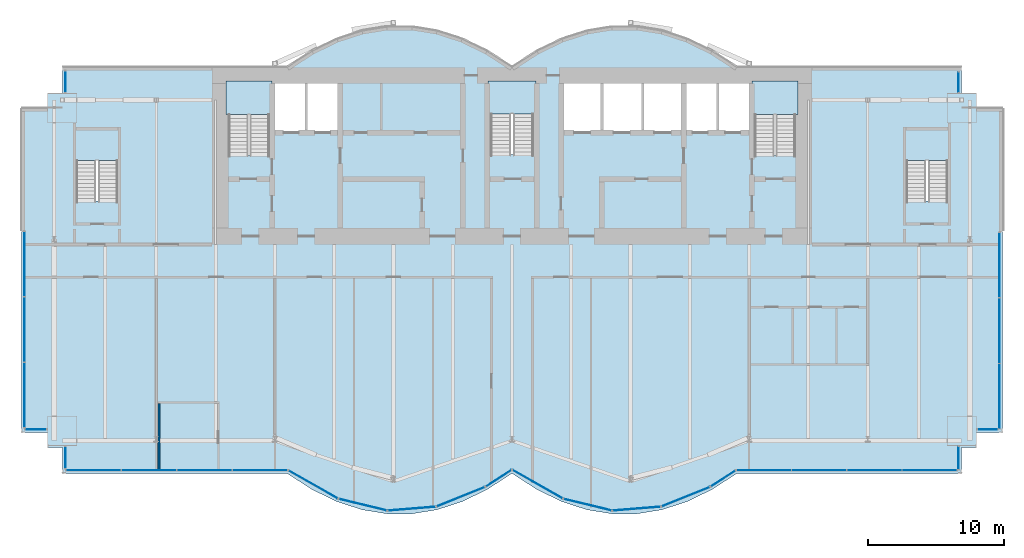
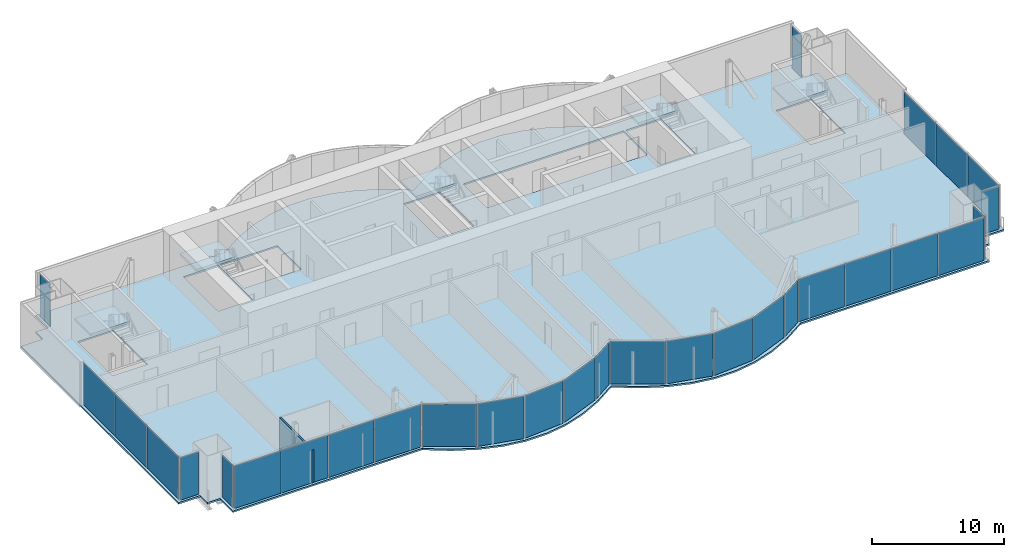
# One storey, part 13 of 20: 30 plates, 6 slabs, 1 wall, 17 elements without a shape of their own.
"""IFC4 building model written with IfcOpenShell, lengths in metres."""

import ifcopenshell
import ifcopenshell.guid

model = None  # the IFC model being written
_history = None  # IfcOwnerHistory: only IFC2X3 demands one
_inside = {}  # id of a spatial element -> (the spatial element, [elements in it])
_under = {}  # id of a project, library or spatial element -> (it, [spatial elements below it])
_declared = {}  # id of a project -> (the project, [libraries it declares])
_typed = {}  # id of a type object -> (the type object, [elements of that type])
_made_of = {}  # id of a material, layer set ... -> (it, [elements and type objects made of it])


def new_model(schema):
    """Start an empty IFC model of exactly this schema.

    Asked for "IFC4X3", IfcOpenShell would pick the latest addendum, in which some entities
    have other attributes; the version numbers below select the first issue.
    IFC2X3 requires an IfcOwnerHistory on every rooted entity: one is made here for all.
    """
    global model, _history
    if schema == "IFC4X3":
        model = ifcopenshell.file(schema_version=(4, 3, 0, 0))
    else:
        model = ifcopenshell.file(schema=schema)
    _inside.clear()
    _under.clear()
    _declared.clear()
    _typed.clear()
    _made_of.clear()
    _history = None
    if model.schema == "IFC2X3":
        org = make("IfcOrganization", Name="unknown")
        user = make(
            "IfcPersonAndOrganization",
            ThePerson=make("IfcPerson", FamilyName="unknown"),
            TheOrganization=org,
        )
        app = make(
            "IfcApplication",
            ApplicationDeveloper=org,
            Version="unknown",
            ApplicationFullName="unknown",
            ApplicationIdentifier="unknown",
        )
        _history = make(
            "IfcOwnerHistory",
            OwningUser=user,
            OwningApplication=app,
            ChangeAction="ADDED",
            CreationDate=0,
        )
    return model


def make(cls, **values):
    """One entity of the class cls with the attributes given. An attribute that is None is left unset."""
    return model.create_entity(
        cls, **{name: value for name, value in values.items() if value is not None}
    )


def rooted(cls, **values):
    """An entity with a GlobalId (a new one), such as an element, a storey or a relation."""
    return make(cls, GlobalId=ifcopenshell.guid.new(), OwnerHistory=_history, **values)


def si_unit(unit_type, name, prefix=None):
    """IfcSIUnit, for example si_unit("LENGTHUNIT", "METRE", prefix="MILLI")."""
    return make("IfcSIUnit", UnitType=unit_type, Prefix=prefix, Name=name)


def assignment(units):
    """IfcUnitAssignment: the units of a project."""
    return None if units is None else make("IfcUnitAssignment", Units=units)


def point(xyz):
    """IfcCartesianPoint."""
    return None if xyz is None else make("IfcCartesianPoint", Coordinates=xyz)


def direction(xyz):
    """IfcDirection."""
    return None if xyz is None else make("IfcDirection", DirectionRatios=xyz)


def frame(location, z_axis=None, x_axis=None):
    """IfcAxis2Placement3D, a coordinate frame: its origin and axes. An axis left out is left unset."""
    return make(
        "IfcAxis2Placement3D",
        Location=point(location),
        Axis=direction(z_axis),
        RefDirection=direction(x_axis),
    )


def frame_2d(location, x_axis=None):
    """IfcAxis2Placement2D, a coordinate frame in the plane: its origin and x axis."""
    return make(
        "IfcAxis2Placement2D", Location=point(location), RefDirection=direction(x_axis)
    )


def origin():
    """The frame at (0, 0, 0) with its axes left unset."""
    return frame((0.0, 0.0, 0.0))


def origin_2d():
    """The frame at (0, 0) in the plane with its x axis left unset."""
    return frame_2d((0.0, 0.0))


def place(relative_to, where):
    """IfcLocalPlacement: puts the frame where relative to a parent placement (None: the world)."""
    return make(
        "IfcLocalPlacement", PlacementRelTo=relative_to, RelativePlacement=where
    )


def context(
    kind, dimensions, precision=None, world=None, true_north=None, identifier=None
):
    """IfcGeometricRepresentationContext, for example the 3D "Model" context."""
    return make(
        "IfcGeometricRepresentationContext",
        ContextIdentifier=identifier,
        ContextType=kind,
        CoordinateSpaceDimension=dimensions,
        Precision=precision,
        WorldCoordinateSystem=world,
        TrueNorth=true_north,
    )


def subcontext(parent, identifier, kind, view, scale=None):
    """IfcGeometricRepresentationSubContext, for example "Body" below "Model"."""
    return make(
        "IfcGeometricRepresentationSubContext",
        ContextIdentifier=identifier,
        ContextType=kind,
        ParentContext=parent,
        TargetScale=scale,
        TargetView=view,
    )


def project(units=None, contexts=None):
    """IfcProject with its units and contexts."""
    return rooted(
        "IfcProject",
        Name="project",
        RepresentationContexts=contexts,
        UnitsInContext=assignment(units),
    )


def spatial(cls, under=None, at=None, **own):
    """A site, building, storey or space (cls), placed at a placement, below another one or the project."""
    s = rooted(cls, ObjectPlacement=at, **own)
    if under is not None:
        _under.setdefault(under.id(), (under, []))[1].append(s)
    return s


def polyline(points):
    """IfcPolyline through the points."""
    return make("IfcPolyline", Points=[point(p) for p in points])


def profile(cls, at=None, kind="AREA", **sizes):
    """A parametric profile (cls). Its sizes go by their IFC names, for example OverallWidth=200.0."""
    return make(cls, ProfileType=kind, Position=at, **sizes)


def rectangle(**sizes):
    """IfcRectangleProfileDef."""
    return profile("IfcRectangleProfileDef", **sizes)


def outline(outer, holes=None, kind="AREA"):
    """IfcArbitraryClosedProfileDef: a profile drawn as a closed curve; with holes, ...WithVoids."""
    if holes is None:
        return make("IfcArbitraryClosedProfileDef", ProfileType=kind, OuterCurve=outer)
    return make(
        "IfcArbitraryProfileDefWithVoids",
        ProfileType=kind,
        OuterCurve=outer,
        InnerCurves=holes,
    )


def extrude(swept, where, along, depth):
    """IfcExtrudedAreaSolid: the profile swept, set in the frame where, extruded along a direction by depth."""
    return make(
        "IfcExtrudedAreaSolid",
        SweptArea=swept,
        Position=where,
        ExtrudedDirection=direction(along),
        Depth=depth,
    )


def shape(context_of_items, identifier, shape_type, items):
    """IfcShapeRepresentation: the items that make up one representation, for example the "Body"."""
    return make(
        "IfcShapeRepresentation",
        ContextOfItems=context_of_items,
        RepresentationIdentifier=identifier,
        RepresentationType=shape_type,
        Items=items,
    )


def material(Name=None, Category=None):
    """IfcMaterial."""
    return make("IfcMaterial", Name=Name, Category=Category)


def layer(
    of_material, thickness, ventilated=None, Name=None, Category=None, Priority=None
):
    """IfcMaterialLayer: one layer of a wall or slab, of a material (None: an air gap)."""
    return make(
        "IfcMaterialLayer",
        Material=of_material,
        LayerThickness=thickness,
        IsVentilated=ventilated,
        Name=Name,
        Category=Category,
        Priority=Priority,
    )


def layer_set(layers, Name=None):
    """IfcMaterialLayerSet."""
    return make("IfcMaterialLayerSet", MaterialLayers=layers, LayerSetName=Name)


def made_of(thing, what):
    """Note that an element or type object is made of a material, layer set ...; save() writes the relation."""
    if what is not None:
        _made_of.setdefault(what.id(), (what, []))[1].append(thing)
    return thing


def type_object(cls, material=None, **own):
    """A type object (cls), such as IfcWallType, which elements share."""
    return made_of(rooted(cls, **own), material)


def element(
    cls,
    number,
    at=None,
    inside=None,
    cuts=None,
    type_object=None,
    material=None,
    context=None,
    identifier="Body",
    shape_type=None,
    held_by="IfcProductDefinitionShape",
    body=None,
    shapes=None,
    **own,
):
    """One element of the class cls, such as IfcWall. Its Tag is "e" and its number.

    at: its placement. inside: the storey or other place that contains it. cuts: it is an
    opening in that element (IfcRelVoidsElement). A single representation is given by context,
    identifier, shape_type and body (its items); several are given by shapes. held_by: the class
    of the entity that holds the representations. save() writes the other relations.
    """
    e = rooted(cls, Tag="e%d" % number, ObjectPlacement=at, **own)
    if body is not None:
        shapes = [shape(context, identifier, shape_type, body)]
    if shapes is not None:
        e.Representation = make(held_by, Representations=shapes)
    if inside is not None:
        _inside.setdefault(inside.id(), (inside, []))[1].append(e)
    if cuts is not None:
        rooted(
            "IfcRelVoidsElement", RelatingBuildingElement=cuts, RelatedOpeningElement=e
        )
    if type_object is not None:
        _typed.setdefault(type_object.id(), (type_object, []))[1].append(e)
    return made_of(e, material)


def aggregate(whole, parts):
    """IfcRelAggregates: a whole, such as a stair, and the parts it consists of."""
    return rooted("IfcRelAggregates", RelatingObject=whole, RelatedObjects=parts)


def save(model, path):
    """Write the relations noted so far, then the file.

    IfcRelAggregates (storeys below a building ...), IfcRelContainedInSpatialStructure (elements
    in a storey), IfcRelDefinesByType, IfcRelAssociatesMaterial and IfcRelDeclares: one each for
    every whole, place, type object, material and project.
    """
    for whole, parts in _under.values():
        aggregate(whole, parts)
    for where, things in _inside.values():
        rooted(
            "IfcRelContainedInSpatialStructure",
            RelatedElements=things,
            RelatingStructure=where,
        )
    for kind, things in _typed.values():
        rooted("IfcRelDefinesByType", RelatedObjects=things, RelatingType=kind)
    for what, things in _made_of.values():
        rooted("IfcRelAssociatesMaterial", RelatedObjects=things, RelatingMaterial=what)
    for by, libraries in _declared.values():
        rooted("IfcRelDeclares", RelatingContext=by, RelatedDefinitions=libraries)
    model.write(path)


model = new_model("IFC4")

# Units and contexts
model_context = context("Model", 3, precision=1e-05, world=origin(), true_north=direction((0.0, 1.0)))
body_context = subcontext(model_context, "Body", "Model", "MODEL_VIEW")
ifc_project = project(units=[si_unit("LENGTHUNIT", "METRE"), si_unit("AREAUNIT", "SQUARE_METRE"), si_unit("VOLUMEUNIT", "CUBIC_METRE"), si_unit("PLANEANGLEUNIT", "RADIAN"), si_unit("MASSUNIT", "GRAM", prefix="KILO")], contexts=[model_context])

# Site, building, storey
site_placement = place(None, origin())
site = spatial("IfcSite", under=ifc_project, at=site_placement, CompositionType="ELEMENT")
building_placement = place(site_placement, origin())
building = spatial("IfcBuilding", under=site, at=building_placement, Name="Bicima Exchange Tower", CompositionType="ELEMENT")
storey_placement = place(building_placement, frame((0.0, 0.0, 249.800048828125)))
storey = spatial("IfcBuildingStorey", under=building, at=storey_placement, Name="L56", CompositionType="ELEMENT", Elevation=249.800048828125)

# Slab
ifc_material_1 = material(Name="Concrete C40/50", Category="concrete")
ifc_layer_1 = layer(ifc_material_1, 0.14990234375)
ifc_layer_set_1 = layer_set([ifc_layer_1], Name="Concrete C40/50")
slab_type_1 = type_object("IfcSlabType", Name="Composite floor slab 150", PredefinedType="FLOOR", material=ifc_layer_set_1)
slab_1_placement = place(storey_placement, frame((0.0, 0.0, -0.150146484375)))
element("IfcSlab", 1, at=slab_1_placement, inside=storey, type_object=slab_type_1, Name="Floor slab", PredefinedType="FLOOR", context=body_context, shape_type="SweptSolid", body=[
    extrude(outline(polyline([(-36.0, -26.800048828125), (-36.0, -3.0), (-34.10009765625, -3.0), (-34.10009765625, -1.89990234375), (-33.0, -1.89990234375), (-33.0, 0.0), (-16.5, 0.0), (-14.666748046875, 1.185302734375), (-12.833251953125, 2.07421875), (-11.0, 2.666748046875), (-9.166748046875, 2.962890625), (-7.333251953125, 2.962890625), (-5.5, 2.666748046875), (-3.666748046875, 2.07421875), (-1.833251953125, 1.185302734375), (0.0, 0.0), (1.833251953125, 1.185302734375), (3.666748046875, 2.07421875), (5.5, 2.666748046875), (7.333251953125, 2.962890625), (9.166748046875, 2.962890625), (11.0, 2.666748046875), (12.833251953125, 2.07421875), (14.666748046875, 1.185302734375), (16.5, 0.0), (33.0, 0.0), (33.0, -1.89990234375), (34.10009765625, -1.89990234375), (34.10009765625, -3.0), (36.0, -3.0), (36.0, -26.800048828125), (34.10009765625, -26.800048828125), (34.10009765625, -27.89990234375), (33.0, -27.89990234375), (33.0, -29.800048828125), (16.5, -29.800048828125), (14.666748046875, -30.985107421875), (12.833251953125, -31.8740234375), (11.0, -32.466796875), (9.166748046875, -32.762939453125), (7.333251953125, -32.762939453125), (5.5, -32.466796875), (3.666748046875, -31.8740234375), (1.833251953125, -30.985107421875), (0.0, -29.800048828125), (-1.833251953125, -30.985107421875), (-3.666748046875, -31.8740234375), (-5.5, -32.466796875), (-7.333251953125, -32.762939453125), (-9.166748046875, -32.762939453125), (-11.0, -32.466796875), (-12.833251953125, -31.8740234375), (-14.666748046875, -30.985107421875), (-16.5, -29.800048828125), (-33.0, -29.800048828125), (-33.0, -27.89990234375), (-34.10009765625, -27.89990234375), (-34.10009765625, -26.800048828125), (-36.0, -26.800048828125)]), holes=[polyline([(-28.925048828125, -9.824951171875), (-28.925048828125, -4.625), (-31.97509765625, -4.625), (-31.97509765625, -9.824951171875), (-28.925048828125, -9.824951171875)]), polyline([(-20.800048828125, -6.449951171875), (-17.800048828125, -6.449951171875), (-17.800048828125, -1.199951171875), (-20.800048828125, -1.199951171875), (-20.800048828125, -6.449951171875)]), polyline([(-1.574951171875, -6.39990234375), (1.574951171875, -6.39990234375), (1.574951171875, -1.199951171875), (-1.574951171875, -1.199951171875), (-1.574951171875, -6.39990234375)]), polyline([(-12.60009765625, -1.199951171875), (-15.10009765625, -1.199951171875), (-17.60009765625, -1.199951171875), (-17.60009765625, -4.800048828125), (-15.10009765625, -4.800048828125), (-12.60009765625, -4.800048828125), (-12.60009765625, -1.199951171875)]), polyline([(3.60009765625, -4.800048828125), (6.60009765625, -4.800048828125), (9.60009765625, -4.800048828125), (12.60009765625, -4.800048828125), (15.10009765625, -4.800048828125), (17.60009765625, -4.800048828125), (17.60009765625, -1.199951171875), (15.10009765625, -1.199951171875), (12.60009765625, -1.199951171875), (9.60009765625, -1.199951171875), (6.60009765625, -1.199951171875), (3.60009765625, -1.199951171875), (3.60009765625, -4.800048828125)]), polyline([(31.97509765625, -9.824951171875), (31.97509765625, -4.625), (28.925048828125, -4.625), (28.925048828125, -9.824951171875), (31.97509765625, -9.824951171875)]), polyline([(17.800048828125, -6.449951171875), (20.800048828125, -6.449951171875), (20.800048828125, -1.199951171875), (17.800048828125, -1.199951171875), (17.800048828125, -6.449951171875)])]), origin(), (0.0, 0.0, 1.0), 0.150146484375),
])

# Curtain wall, plate
ifc_material_2 = material(Name="Anodised bronze aluminium", Category="aluminium")
curtain_wall_type_1 = type_object("IfcCurtainWallType", Name="End face glass wall", PredefinedType="NOTDEFINED", material=ifc_material_2)
curtain_wall_1_placement = place(storey_placement, origin())
curtain_wall_1 = element("IfcCurtainWall", 2, at=curtain_wall_1_placement, inside=storey, type_object=curtain_wall_type_1, Name="End face glass wall L56 run 2", PredefinedType="NOTDEFINED")
ifc_material_3 = material(Name="Bronze tinted glass", Category="glass")
ifc_layer_2 = layer(ifc_material_3, 0.031982421875)
ifc_layer_set_2 = layer_set([ifc_layer_2], Name="Bronze tinted glass")
plate_type_1 = type_object("IfcPlateType", Name="End face glass wall glass panel 32", PredefinedType="CURTAIN_PANEL", material=ifc_layer_set_2)
plate_1_placement = place(storey_placement, frame((-35.77001953125, -14.43505859375, 0.0), z_axis=(0.0, 0.0, 1.0), x_axis=(0.0, -1.0, 0.0)))
plate_1 = element("IfcPlate", 3, at=plate_1_placement, type_object=plate_type_1, Name="End face glass wall panel 1.1", PredefinedType="CURTAIN_PANEL", context=body_context, shape_type="SweptSolid", body=[
    extrude(rectangle(XDim=4.75, YDim=0.031982421875, at=origin_2d()), origin(), (0.0, 0.0, 1.0), 3.909912109375),
])

curtain_wall_2_placement = place(storey_placement, origin())
curtain_wall_2 = element("IfcCurtainWall", 4, at=curtain_wall_2_placement, inside=storey, type_object=curtain_wall_type_1, Name="End face glass wall L56 run 19", PredefinedType="NOTDEFINED")
plate_2_placement = place(storey_placement, frame((35.77001953125, -14.514892578125, 0.0), z_axis=(0.0, 0.0, 1.0), x_axis=(0.0, 1.0, 0.0)))
plate_2 = element("IfcPlate", 5, at=plate_2_placement, type_object=plate_type_1, Name="End face glass wall panel 3.1", PredefinedType="CURTAIN_PANEL", context=body_context, shape_type="SweptSolid", body=[
    extrude(rectangle(XDim=4.75, YDim=0.031982421875, at=origin_2d()), origin(), (0.0, 0.0, 1.0), 3.909912109375),
])

# Plate
ifc_material_4 = material(Name="Bronze anodised aluminium", Category="aluminium")
ifc_layer_3 = layer(ifc_material_4, 0.031982421875)
ifc_layer_set_3 = layer_set([ifc_layer_3], Name="Bronze anodised aluminium")
plate_type_2 = type_object("IfcPlateType", Name="End face glass wall spandrel panel 32", PredefinedType="CURTAIN_PANEL", material=ifc_layer_set_3)
plate_3_placement = place(storey_placement, frame((-35.77001953125, -19.2451171875, 0.0), z_axis=(0.0, 0.0, 1.0), x_axis=(0.0, -1.0, 0.0)))
plate_3 = element("IfcPlate", 6, at=plate_3_placement, type_object=plate_type_2, Name="End face spandrel wall panel 2.1", PredefinedType="CURTAIN_PANEL", context=body_context, shape_type="SweptSolid", body=[
    extrude(rectangle(XDim=4.75, YDim=0.031982421875, at=origin_2d()), origin(), (0.0, 0.0, 1.0), 3.909912109375),
])

plate_4_placement = place(storey_placement, frame((-35.77001953125, -24.054931640625, 0.0), z_axis=(0.0, 0.0, 1.0), x_axis=(0.0, -1.0, 0.0)))
plate_4 = element("IfcPlate", 7, at=plate_4_placement, type_object=plate_type_2, Name="End face spandrel wall panel 3.1", PredefinedType="CURTAIN_PANEL", context=body_context, shape_type="SweptSolid", body=[
    extrude(rectangle(XDim=4.75, YDim=0.031982421875, at=origin_2d()), origin(), (0.0, 0.0, 1.0), 3.909912109375),
])

aggregate(curtain_wall_1, [plate_1, plate_3, plate_4])

plate_5_placement = place(storey_placement, frame((35.77001953125, -24.135009765625, 0.0), z_axis=(0.0, 0.0, 1.0), x_axis=(0.0, 1.0, 0.0)))
plate_5 = element("IfcPlate", 8, at=plate_5_placement, type_object=plate_type_2, Name="End face spandrel wall panel 1.1", PredefinedType="CURTAIN_PANEL", context=body_context, shape_type="SweptSolid", body=[
    extrude(rectangle(XDim=4.75, YDim=0.031982421875, at=origin_2d()), origin(), (0.0, 0.0, 1.0), 3.909912109375),
])

plate_6_placement = place(storey_placement, frame((35.77001953125, -19.324951171875, 0.0), z_axis=(0.0, 0.0, 1.0), x_axis=(0.0, 1.0, 0.0)))
plate_6 = element("IfcPlate", 9, at=plate_6_placement, type_object=plate_type_2, Name="End face spandrel wall panel 2.1", PredefinedType="CURTAIN_PANEL", context=body_context, shape_type="SweptSolid", body=[
    extrude(rectangle(XDim=4.75, YDim=0.031982421875, at=origin_2d()), origin(), (0.0, 0.0, 1.0), 3.909912109375),
])

aggregate(curtain_wall_2, [plate_5, plate_6, plate_2])

# Curtain wall, plate
curtain_wall_type_2 = type_object("IfcCurtainWallType", Name="Front glass wall", PredefinedType="NOTDEFINED", material=ifc_material_2)
curtain_wall_3_placement = place(storey_placement, origin())
curtain_wall_3 = element("IfcCurtainWall", 10, at=curtain_wall_3_placement, inside=storey, type_object=curtain_wall_type_2, Name="Front glass wall L56 run 1", PredefinedType="NOTDEFINED")
ifc_layer_4 = layer(ifc_material_3, 0.031982421875)
ifc_layer_set_4 = layer_set([ifc_layer_4], Name="Bronze tinted glass")
plate_type_3 = type_object("IfcPlateType", Name="Front glass wall glass panel 32", PredefinedType="CURTAIN_PANEL", material=ifc_layer_set_4)
plate_7_placement = place(storey_placement, frame((-32.77001953125, -1.06494140625, 0.0), z_axis=(0.0, 0.0, 1.0), x_axis=(0.0, -1.0, 0.0)))
plate_7 = element("IfcPlate", 11, at=plate_7_placement, type_object=plate_type_3, Name="Front glass wall panel 1.1", PredefinedType="CURTAIN_PANEL", context=body_context, shape_type="SweptSolid", body=[
    extrude(rectangle(XDim=1.550048828125, YDim=0.031982421875, at=origin_2d()), origin(), (0.0, 0.0, 1.0), 3.909912109375),
])
aggregate(curtain_wall_3, [plate_7])

curtain_wall_4_placement = place(storey_placement, origin())
curtain_wall_4 = element("IfcCurtainWall", 12, at=curtain_wall_4_placement, inside=storey, type_object=curtain_wall_type_2, Name="Front glass wall L56 run 3", PredefinedType="NOTDEFINED")
plate_8_placement = place(storey_placement, frame((-34.93505859375, -26.570068359375, 0.0), z_axis=(0.0, 0.0, 1.0), x_axis=(1.0, 0.0, 0.0)))
plate_8 = element("IfcPlate", 13, at=plate_8_placement, type_object=plate_type_3, Name="Front glass wall panel 1.1", PredefinedType="CURTAIN_PANEL", context=body_context, shape_type="SweptSolid", body=[
    extrude(rectangle(XDim=1.550048828125, YDim=0.031982421875, at=origin_2d()), origin(), (0.0, 0.0, 1.0), 3.909912109375),
])
aggregate(curtain_wall_4, [plate_8])

curtain_wall_5_placement = place(storey_placement, origin())
curtain_wall_5 = element("IfcCurtainWall", 14, at=curtain_wall_5_placement, inside=storey, type_object=curtain_wall_type_2, Name="Front glass wall L56 run 4", PredefinedType="NOTDEFINED")
plate_9_placement = place(storey_placement, frame((-32.77001953125, -28.634033203125, 0.0), z_axis=(0.0, 0.0, 1.0), x_axis=(0.0, -1.0, 0.0)))
plate_9 = element("IfcPlate", 15, at=plate_9_placement, type_object=plate_type_3, Name="Front glass wall panel 1.1", PredefinedType="CURTAIN_PANEL", context=body_context, shape_type="SweptSolid", body=[
    extrude(rectangle(XDim=1.592041015625, YDim=0.031982421875, at=origin_2d()), origin(), (0.0, 0.0, 1.0), 3.909912109375),
])
aggregate(curtain_wall_5, [plate_9])

# Curtain wall, plates
curtain_wall_6_placement = place(storey_placement, origin())
curtain_wall_6 = element("IfcCurtainWall", 16, at=curtain_wall_6_placement, inside=storey, type_object=curtain_wall_type_2, Name="Front glass wall L56 run 5", PredefinedType="NOTDEFINED")
plate_10_placement = place(storey_placement, frame((-30.705322265625, -29.570068359375, 0.0), z_axis=(0.0, 0.0, 1.0), x_axis=(1.0, 0.0, 0.0)))
plate_10 = element("IfcPlate", 17, at=plate_10_placement, type_object=plate_type_3, Name="Front glass wall panel 1.1", PredefinedType="CURTAIN_PANEL", context=body_context, shape_type="SweptSolid", body=[
    extrude(rectangle(XDim=4.009521484375, YDim=0.031982421875, at=origin_2d()), origin(), (0.0, 0.0, 1.0), 3.909912109375),
])
plate_11_placement = place(storey_placement, frame((-22.56640625, -29.570068359375, 0.0), z_axis=(0.0, 0.0, 1.0), x_axis=(1.0, 0.0, 0.0)))
plate_11 = element("IfcPlate", 18, at=plate_11_placement, type_object=plate_type_3, Name="Front glass wall panel 3.1", PredefinedType="CURTAIN_PANEL", context=body_context, shape_type="SweptSolid", body=[
    extrude(rectangle(XDim=4.009521484375, YDim=0.031982421875, at=origin_2d()), origin(), (0.0, 0.0, 1.0), 3.909912109375),
])
plate_12_placement = place(storey_placement, frame((-18.496826171875, -29.570068359375, 0.0), z_axis=(0.0, 0.0, 1.0), x_axis=(1.0, 0.0, 0.0)))
plate_12 = element("IfcPlate", 19, at=plate_12_placement, type_object=plate_type_3, Name="Front glass wall panel 4.1", PredefinedType="CURTAIN_PANEL", context=body_context, shape_type="SweptSolid", body=[
    extrude(rectangle(XDim=4.009521484375, YDim=0.031982421875, at=origin_2d()), origin(), (0.0, 0.0, 1.0), 3.909912109375),
])

curtain_wall_7_placement = place(storey_placement, origin())
curtain_wall_7 = element("IfcCurtainWall", 20, at=curtain_wall_7_placement, inside=storey, type_object=curtain_wall_type_2, Name="Front glass wall L56 run 6", PredefinedType="NOTDEFINED")
plate_13_placement = place(storey_placement, frame((-14.589599609375, -30.614990234375, 0.0), z_axis=(0.0, 0.0, 1.0), x_axis=(0.869805110681, -0.493395449343, 0.0)))
plate_13 = element("IfcPlate", 21, at=plate_13_placement, type_object=plate_type_3, Name="Front glass wall panel 1.1", PredefinedType="CURTAIN_PANEL", context=body_context, shape_type="SweptSolid", body=[
    extrude(rectangle(XDim=4.1162109375, YDim=0.031982421875, at=origin_2d()), origin(), (0.0, 0.0, 1.0), 3.909912109375),
])
plate_14_placement = place(storey_placement, frame((-10.94775390625, -32.0966796875, 0.0), z_axis=(0.0, 0.0, 1.0), x_axis=(0.971830343553, -0.235681529503, 0.0)))
plate_14 = element("IfcPlate", 22, at=plate_14_placement, type_object=plate_type_3, Name="Front glass wall panel 1.1", PredefinedType="CURTAIN_PANEL", context=body_context, shape_type="SweptSolid", body=[
    extrude(rectangle(XDim=3.583251953125, YDim=0.031982421875, at=origin_2d()), origin(), (0.0, 0.0, 1.0), 3.909912109375),
])
plate_15_placement = place(storey_placement, frame((-3.750244140625, -31.513427734375, 0.0), z_axis=(0.0, 0.0, 1.0), x_axis=(0.92714396679, 0.374705304, 0.0)))
plate_15 = element("IfcPlate", 23, at=plate_15_placement, type_object=plate_type_3, Name="Front glass wall panel 1.1", PredefinedType="CURTAIN_PANEL", context=body_context, shape_type="SweptSolid", body=[
    extrude(rectangle(XDim=3.771240234375, YDim=0.031982421875, at=origin_2d()), origin(), (0.0, 0.0, 1.0), 3.909912109375),
])
plate_16_placement = place(storey_placement, frame((-0.97314453125, -30.1552734375, 0.0), z_axis=(0.0, 0.0, 1.0), x_axis=(0.839798994301, 0.542897457326, 0.0)))
plate_16 = element("IfcPlate", 24, at=plate_16_placement, type_object=plate_type_3, Name="Front glass wall panel 1.1", PredefinedType="CURTAIN_PANEL", context=body_context, shape_type="SweptSolid", body=[
    extrude(rectangle(XDim=2.197509765625, YDim=0.031982421875, at=origin_2d()), origin(), (0.0, 0.0, 1.0), 3.909912109375),
])

curtain_wall_8_placement = place(storey_placement, origin())
curtain_wall_8 = element("IfcCurtainWall", 25, at=curtain_wall_8_placement, inside=storey, type_object=curtain_wall_type_2, Name="Front glass wall L56 run 11", PredefinedType="NOTDEFINED")
plate_17_placement = place(storey_placement, frame((1.876220703125, -30.59326171875, 0.0), z_axis=(0.0, 0.0, 1.0), x_axis=(0.869274147378, -0.494330311331, 0.0)))
plate_17 = element("IfcPlate", 26, at=plate_17_placement, type_object=plate_type_3, Name="Front glass wall panel 1.1", PredefinedType="CURTAIN_PANEL", context=body_context, shape_type="SweptSolid", body=[
    extrude(rectangle(XDim=4.197021484375, YDim=0.031982421875, at=origin_2d()), origin(), (0.0, 0.0, 1.0), 3.909912109375),
])
plate_18_placement = place(storey_placement, frame((12.749755859375, -31.513427734375, 0.0), z_axis=(0.0, 0.0, 1.0), x_axis=(0.92714396679, 0.374705304, 0.0)))
plate_18 = element("IfcPlate", 27, at=plate_18_placement, type_object=plate_type_3, Name="Front glass wall panel 1.1", PredefinedType="CURTAIN_PANEL", context=body_context, shape_type="SweptSolid", body=[
    extrude(rectangle(XDim=3.771240234375, YDim=0.031982421875, at=origin_2d()), origin(), (0.0, 0.0, 1.0), 3.909912109375),
])
plate_19_placement = place(storey_placement, frame((15.492919921875, -30.17724609375, 0.0), z_axis=(0.0, 0.0, 1.0), x_axis=(0.839791413941, 0.542909183079, 0.0)))
plate_19 = element("IfcPlate", 28, at=plate_19_placement, type_object=plate_type_3, Name="Front glass wall panel 1.1", PredefinedType="CURTAIN_PANEL", context=body_context, shape_type="SweptSolid", body=[
    extrude(rectangle(XDim=2.11669921875, YDim=0.031982421875, at=origin_2d()), origin(), (0.0, 0.0, 1.0), 3.909912109375),
])

curtain_wall_9_placement = place(storey_placement, origin())
curtain_wall_9 = element("IfcCurtainWall", 29, at=curtain_wall_9_placement, inside=storey, type_object=curtain_wall_type_2, Name="Front glass wall L56 run 16", PredefinedType="NOTDEFINED")
plate_20_placement = place(storey_placement, frame((18.48681640625, -29.570068359375, 0.0), z_axis=(0.0, 0.0, 1.0), x_axis=(1.0, 0.0, 0.0)))
plate_20 = element("IfcPlate", 30, at=plate_20_placement, type_object=plate_type_3, Name="Front glass wall panel 1.1", PredefinedType="CURTAIN_PANEL", context=body_context, shape_type="SweptSolid", body=[
    extrude(rectangle(XDim=3.989501953125, YDim=0.031982421875, at=origin_2d()), origin(), (0.0, 0.0, 1.0), 3.909912109375),
])
plate_21_placement = place(storey_placement, frame((22.536376953125, -29.570068359375, 0.0), z_axis=(0.0, 0.0, 1.0), x_axis=(1.0, 0.0, 0.0)))
plate_21 = element("IfcPlate", 31, at=plate_21_placement, type_object=plate_type_3, Name="Front glass wall panel 2.1", PredefinedType="CURTAIN_PANEL", context=body_context, shape_type="SweptSolid", body=[
    extrude(rectangle(XDim=3.989501953125, YDim=0.031982421875, at=origin_2d()), origin(), (0.0, 0.0, 1.0), 3.909912109375),
])
plate_22_placement = place(storey_placement, frame((30.63525390625, -29.570068359375, 0.0), z_axis=(0.0, 0.0, 1.0), x_axis=(1.0, 0.0, 0.0)))
plate_22 = element("IfcPlate", 32, at=plate_22_placement, type_object=plate_type_3, Name="Front glass wall panel 4.1", PredefinedType="CURTAIN_PANEL", context=body_context, shape_type="SweptSolid", body=[
    extrude(rectangle(XDim=3.989501953125, YDim=0.031982421875, at=origin_2d()), origin(), (0.0, 0.0, 1.0), 3.909912109375),
])

# Curtain wall, plate
curtain_wall_10_placement = place(storey_placement, origin())
curtain_wall_10 = element("IfcCurtainWall", 33, at=curtain_wall_10_placement, inside=storey, type_object=curtain_wall_type_2, Name="Front glass wall L56 run 17", PredefinedType="NOTDEFINED")
plate_23_placement = place(storey_placement, frame((32.77001953125, -28.674072265625, 0.0), z_axis=(0.0, 0.0, 1.0), x_axis=(0.0, 1.0, 0.0)))
plate_23 = element("IfcPlate", 34, at=plate_23_placement, type_object=plate_type_3, Name="Front glass wall panel 1.1", PredefinedType="CURTAIN_PANEL", context=body_context, shape_type="SweptSolid", body=[
    extrude(rectangle(XDim=1.672119140625, YDim=0.031982421875, at=origin_2d()), origin(), (0.0, 0.0, 1.0), 3.909912109375),
])
aggregate(curtain_wall_10, [plate_23])

curtain_wall_11_placement = place(storey_placement, origin())
curtain_wall_11 = element("IfcCurtainWall", 35, at=curtain_wall_11_placement, inside=storey, type_object=curtain_wall_type_2, Name="Front glass wall L56 run 18", PredefinedType="NOTDEFINED")
plate_24_placement = place(storey_placement, frame((34.89501953125, -26.570068359375, 0.0), z_axis=(0.0, 0.0, 1.0), x_axis=(1.0, 0.0, 0.0)))
plate_24 = element("IfcPlate", 36, at=plate_24_placement, type_object=plate_type_3, Name="Front glass wall panel 1.1", PredefinedType="CURTAIN_PANEL", context=body_context, shape_type="SweptSolid", body=[
    extrude(rectangle(XDim=1.469970703125, YDim=0.031982421875, at=origin_2d()), origin(), (0.0, 0.0, 1.0), 3.909912109375),
])
aggregate(curtain_wall_11, [plate_24])

curtain_wall_12_placement = place(storey_placement, origin())
curtain_wall_12 = element("IfcCurtainWall", 37, at=curtain_wall_12_placement, inside=storey, type_object=curtain_wall_type_2, Name="Front glass wall L56 run 20", PredefinedType="NOTDEFINED")
plate_25_placement = place(storey_placement, frame((32.77001953125, -1.10498046875, 0.0), z_axis=(0.0, 0.0, 1.0), x_axis=(0.0, 1.0, 0.0)))
plate_25 = element("IfcPlate", 38, at=plate_25_placement, type_object=plate_type_3, Name="Front glass wall panel 1.1", PredefinedType="CURTAIN_PANEL", context=body_context, shape_type="SweptSolid", body=[
    extrude(rectangle(XDim=1.469970703125, YDim=0.031982421875, at=origin_2d()), origin(), (0.0, 0.0, 1.0), 3.909912109375),
])
aggregate(curtain_wall_12, [plate_25])

# Plate
ifc_layer_5 = layer(ifc_material_4, 0.031982421875)
ifc_layer_set_5 = layer_set([ifc_layer_5], Name="Bronze anodised aluminium")
plate_type_4 = type_object("IfcPlateType", Name="Front glass wall spandrel panel 32", PredefinedType="CURTAIN_PANEL", material=ifc_layer_set_5)
plate_26_placement = place(storey_placement, frame((-26.6357421875, -29.570068359375, 0.0), z_axis=(0.0, 0.0, 1.0), x_axis=(1.0, 0.0, 0.0)))
plate_26 = element("IfcPlate", 39, at=plate_26_placement, type_object=plate_type_4, Name="Front spandrel wall panel 2.1", PredefinedType="CURTAIN_PANEL", context=body_context, shape_type="SweptSolid", body=[
    extrude(rectangle(XDim=4.009521484375, YDim=0.031982421875, at=origin_2d()), origin(), (0.0, 0.0, 1.0), 3.909912109375),
])

aggregate(curtain_wall_6, [plate_10, plate_26, plate_11, plate_12])

plate_27_placement = place(storey_placement, frame((-7.35107421875, -32.3876953125, 0.0), z_axis=(0.0, 0.0, 1.0), x_axis=(0.99674744821, 0.080588612633, 0.0)))
plate_27 = element("IfcPlate", 40, at=plate_27_placement, type_object=plate_type_4, Name="Front spandrel wall panel 1.1", PredefinedType="CURTAIN_PANEL", context=body_context, shape_type="SweptSolid", body=[
    extrude(rectangle(XDim=3.486083984375, YDim=0.031982421875, at=origin_2d()), origin(), (0.0, 0.0, 1.0), 3.909912109375),
])

aggregate(curtain_wall_7, [plate_13, plate_14, plate_27, plate_15, plate_16])

plate_28_placement = place(storey_placement, frame((5.55224609375, -32.0966796875, 0.0), z_axis=(0.0, 0.0, 1.0), x_axis=(0.971830343553, -0.235681529503, 0.0)))
plate_28 = element("IfcPlate", 41, at=plate_28_placement, type_object=plate_type_4, Name="Front spandrel wall panel 1.1", PredefinedType="CURTAIN_PANEL", context=body_context, shape_type="SweptSolid", body=[
    extrude(rectangle(XDim=3.583251953125, YDim=0.031982421875, at=origin_2d()), origin(), (0.0, 0.0, 1.0), 3.909912109375),
])

plate_29_placement = place(storey_placement, frame((9.14892578125, -32.3876953125, 0.0), z_axis=(0.0, 0.0, 1.0), x_axis=(0.99674744821, 0.080588612633, 0.0)))
plate_29 = element("IfcPlate", 42, at=plate_29_placement, type_object=plate_type_4, Name="Front spandrel wall panel 1.1", PredefinedType="CURTAIN_PANEL", context=body_context, shape_type="SweptSolid", body=[
    extrude(rectangle(XDim=3.486083984375, YDim=0.031982421875, at=origin_2d()), origin(), (0.0, 0.0, 1.0), 3.909912109375),
])

aggregate(curtain_wall_8, [plate_17, plate_28, plate_29, plate_18, plate_19])

plate_30_placement = place(storey_placement, frame((26.585693359375, -29.570068359375, 0.0), z_axis=(0.0, 0.0, 1.0), x_axis=(1.0, 0.0, 0.0)))
plate_30 = element("IfcPlate", 43, at=plate_30_placement, type_object=plate_type_4, Name="Front spandrel wall panel 3.1", PredefinedType="CURTAIN_PANEL", context=body_context, shape_type="SweptSolid", body=[
    extrude(rectangle(XDim=3.989501953125, YDim=0.031982421875, at=origin_2d()), origin(), (0.0, 0.0, 1.0), 3.909912109375),
])

aggregate(curtain_wall_9, [plate_20, plate_21, plate_30, plate_22])

# Stair, slab
ifc_material_5 = material(Name="Concrete C50/60", Category="concrete")
stair_type_1 = type_object("IfcStairType", Name="Exit stair", PredefinedType="HALF_TURN_STAIR", material=ifc_material_5)
stair_1_placement = place(storey_placement, origin())
stair_1 = element("IfcStair", 44, at=stair_1_placement, inside=storey, type_object=stair_type_1, Name="L56 West exit stair", PredefinedType="HALF_TURN_STAIR")
ifc_layer_6 = layer(ifc_material_5, 0.199951171875)
ifc_layer_set_6 = layer_set([ifc_layer_6], Name="Concrete C50/60")
slab_type_2 = type_object("IfcSlabType", Name="Stair landing slab", PredefinedType="LANDING", material=ifc_layer_set_6)
slab_2_placement = place(storey_placement, frame((0.0, 0.0, 1.89990234375)))
slab_2 = element("IfcSlab", 45, at=slab_2_placement, type_object=slab_type_2, Name="ST-W landing 1", PredefinedType="LANDING", context=body_context, shape_type="SweptSolid", body=[
    extrude(outline(polyline([(-17.60009765625, -3.469970703125), (-17.60009765625, -1.0), (-21.0, -1.0), (-21.0, -3.469970703125), (-17.60009765625, -3.469970703125)])), origin(), (0.0, 0.0, 1.0), 0.199951171875),
])
aggregate(stair_1, [slab_2])

stair_type_2 = type_object("IfcStairType", Name="Exit stair 1500", PredefinedType="HALF_TURN_STAIR", material=ifc_material_5)
stair_2_placement = place(storey_placement, origin())
stair_2 = element("IfcStair", 46, at=stair_2_placement, inside=storey, type_object=stair_type_2, Name="L56 Central exit stair", PredefinedType="HALF_TURN_STAIR")
slab_3_placement = place(storey_placement, frame((0.0, 0.0, 1.89990234375)))
slab_3 = element("IfcSlab", 47, at=slab_3_placement, type_object=slab_type_2, Name="ST-C landing 1", PredefinedType="LANDING", context=body_context, shape_type="SweptSolid", body=[
    extrude(outline(polyline([(1.77490234375, -3.419921875), (1.77490234375, -1.0), (-1.77490234375, -1.0), (-1.77490234375, -3.419921875), (1.77490234375, -3.419921875)])), origin(), (0.0, 0.0, 1.0), 0.199951171875),
])
aggregate(stair_2, [slab_3])

stair_3_placement = place(storey_placement, origin())
stair_3 = element("IfcStair", 48, at=stair_3_placement, inside=storey, type_object=stair_type_1, Name="L56 East exit stair", PredefinedType="HALF_TURN_STAIR")
slab_4_placement = place(storey_placement, frame((0.0, 0.0, 1.89990234375)))
slab_4 = element("IfcSlab", 49, at=slab_4_placement, type_object=slab_type_2, Name="ST-E landing 1", PredefinedType="LANDING", context=body_context, shape_type="SweptSolid", body=[
    extrude(outline(polyline([(21.0, -3.469970703125), (21.0, -1.0), (17.60009765625, -1.0), (17.60009765625, -3.469970703125), (21.0, -3.469970703125)])), origin(), (0.0, 0.0, 1.0), 0.199951171875),
])
aggregate(stair_3, [slab_4])

stair_4_placement = place(storey_placement, origin())
stair_4 = element("IfcStair", 50, at=stair_4_placement, inside=storey, type_object=stair_type_1, Name="L56 West end exit stair", PredefinedType="HALF_TURN_STAIR")
slab_5_placement = place(storey_placement, frame((0.0, 0.0, 1.89990234375)))
slab_5 = element("IfcSlab", 51, at=slab_5_placement, type_object=slab_type_2, Name="ST-WW landing 1", PredefinedType="LANDING", context=body_context, shape_type="SweptSolid", body=[
    extrude(outline(polyline([(-28.72509765625, -6.844970703125), (-28.72509765625, -4.425048828125), (-32.175048828125, -4.425048828125), (-32.175048828125, -6.844970703125), (-28.72509765625, -6.844970703125)])), origin(), (0.0, 0.0, 1.0), 0.199951171875),
])
aggregate(stair_4, [slab_5])

stair_5_placement = place(storey_placement, origin())
stair_5 = element("IfcStair", 52, at=stair_5_placement, inside=storey, type_object=stair_type_1, Name="L56 East end exit stair", PredefinedType="HALF_TURN_STAIR")
slab_6_placement = place(storey_placement, frame((0.0, 0.0, 1.89990234375)))
slab_6 = element("IfcSlab", 53, at=slab_6_placement, type_object=slab_type_2, Name="ST-EE landing 1", PredefinedType="LANDING", context=body_context, shape_type="SweptSolid", body=[
    extrude(outline(polyline([(32.175048828125, -6.844970703125), (32.175048828125, -4.425048828125), (28.72509765625, -4.425048828125), (28.72509765625, -6.844970703125), (32.175048828125, -6.844970703125)])), origin(), (0.0, 0.0, 1.0), 0.199951171875),
])
aggregate(stair_5, [slab_6])

# Wall
ifc_material_6 = material(Name="Gypsum board partition")
ifc_layer_7 = layer(ifc_material_6, 0.14990234375)
ifc_layer_set_7 = layer_set([ifc_layer_7], Name="Gypsum board partition")
wall_type = type_object("IfcWallType", Name="Gypsum partition 150", PredefinedType="PARTITIONING", material=ifc_layer_set_7)
wall_placement = place(storey_placement, frame((-25.89990234375, -29.590087890625, 0.0), z_axis=(0.0, 0.0, 1.0), x_axis=(0.0, 1.0, 0.0)))
element("IfcWall", 54, at=wall_placement, inside=storey, type_object=wall_type, Name="partition wall 15", PredefinedType="PARTITIONING", context=body_context, shape_type="SweptSolid", body=[
    extrude(rectangle(XDim=4.925048828125, YDim=0.14990234375, at=frame_2d((2.46240234375, 0.0))), origin(), (0.0, 0.0, 1.0), 3.039306640625),
])

save(model, "model.ifc")
